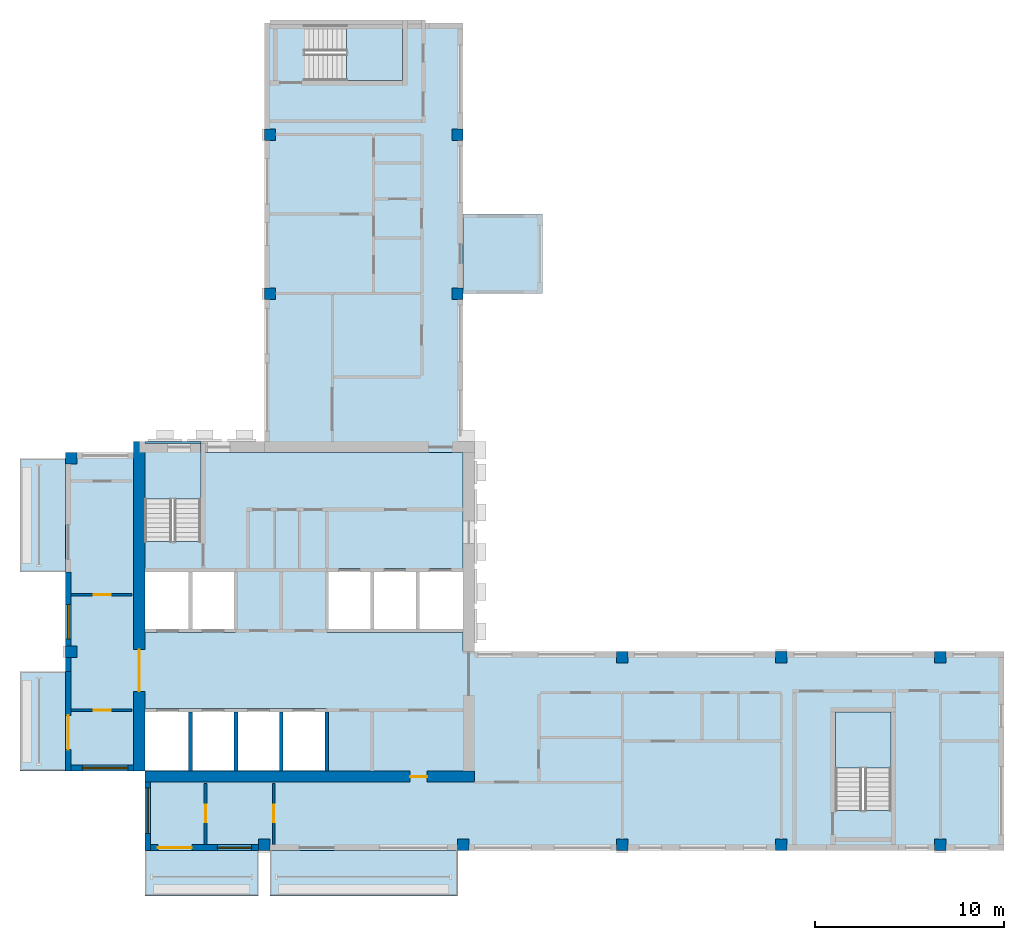
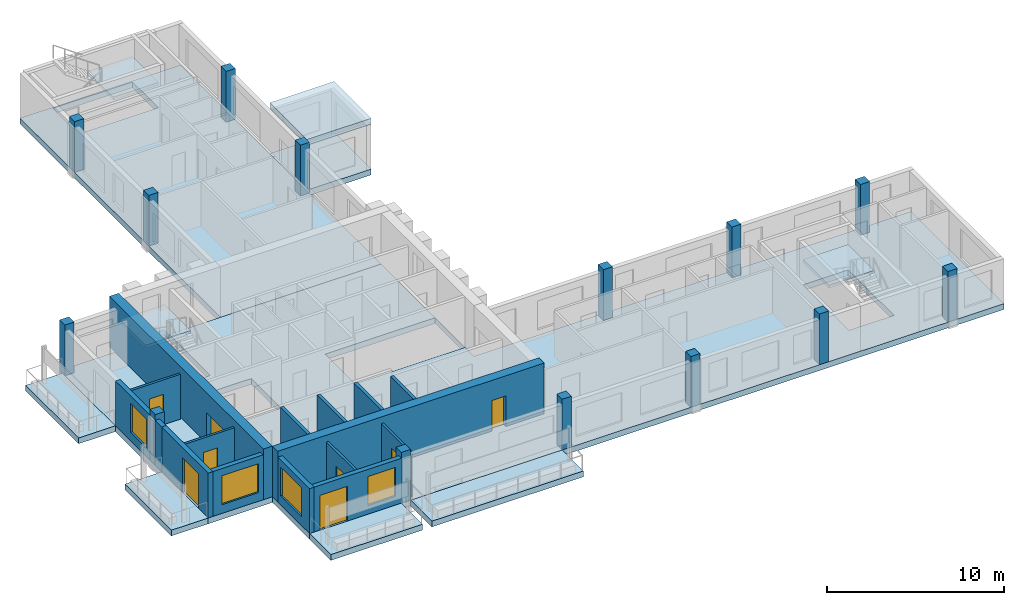
# One storey, part 1 of 10: 16 walls, 14 columns, 12 slabs, 8 doors, 4 windows, 12 openings, 3 elements without a shape of their own.
"""IFC4 building model written with IfcOpenShell, lengths in metres."""

import ifcopenshell
import ifcopenshell.guid

model = None  # the IFC model being written
_history = None  # IfcOwnerHistory: only IFC2X3 demands one
_inside = {}  # id of a spatial element -> (the spatial element, [elements in it])
_under = {}  # id of a project, library or spatial element -> (it, [spatial elements below it])
_declared = {}  # id of a project -> (the project, [libraries it declares])
_typed = {}  # id of a type object -> (the type object, [elements of that type])
_made_of = {}  # id of a material, layer set ... -> (it, [elements and type objects made of it])


def new_model(schema):
    """Start an empty IFC model of exactly this schema.

    Asked for "IFC4X3", IfcOpenShell would pick the latest addendum, in which some entities
    have other attributes; the version numbers below select the first issue.
    IFC2X3 requires an IfcOwnerHistory on every rooted entity: one is made here for all.
    """
    global model, _history
    if schema == "IFC4X3":
        model = ifcopenshell.file(schema_version=(4, 3, 0, 0))
    else:
        model = ifcopenshell.file(schema=schema)
    _inside.clear()
    _under.clear()
    _declared.clear()
    _typed.clear()
    _made_of.clear()
    _history = None
    if model.schema == "IFC2X3":
        org = make("IfcOrganization", Name="unknown")
        user = make(
            "IfcPersonAndOrganization",
            ThePerson=make("IfcPerson", FamilyName="unknown"),
            TheOrganization=org,
        )
        app = make(
            "IfcApplication",
            ApplicationDeveloper=org,
            Version="unknown",
            ApplicationFullName="unknown",
            ApplicationIdentifier="unknown",
        )
        _history = make(
            "IfcOwnerHistory",
            OwningUser=user,
            OwningApplication=app,
            ChangeAction="ADDED",
            CreationDate=0,
        )
    return model


def make(cls, **values):
    """One entity of the class cls with the attributes given. An attribute that is None is left unset."""
    return model.create_entity(
        cls, **{name: value for name, value in values.items() if value is not None}
    )


def rooted(cls, **values):
    """An entity with a GlobalId (a new one), such as an element, a storey or a relation."""
    return make(cls, GlobalId=ifcopenshell.guid.new(), OwnerHistory=_history, **values)


def si_unit(unit_type, name, prefix=None):
    """IfcSIUnit, for example si_unit("LENGTHUNIT", "METRE", prefix="MILLI")."""
    return make("IfcSIUnit", UnitType=unit_type, Prefix=prefix, Name=name)


def assignment(units):
    """IfcUnitAssignment: the units of a project."""
    return None if units is None else make("IfcUnitAssignment", Units=units)


def point(xyz):
    """IfcCartesianPoint."""
    return None if xyz is None else make("IfcCartesianPoint", Coordinates=xyz)


def direction(xyz):
    """IfcDirection."""
    return None if xyz is None else make("IfcDirection", DirectionRatios=xyz)


def frame(location, z_axis=None, x_axis=None):
    """IfcAxis2Placement3D, a coordinate frame: its origin and axes. An axis left out is left unset."""
    return make(
        "IfcAxis2Placement3D",
        Location=point(location),
        Axis=direction(z_axis),
        RefDirection=direction(x_axis),
    )


def frame_2d(location, x_axis=None):
    """IfcAxis2Placement2D, a coordinate frame in the plane: its origin and x axis."""
    return make(
        "IfcAxis2Placement2D", Location=point(location), RefDirection=direction(x_axis)
    )


def origin():
    """The frame at (0, 0, 0) with its axes left unset."""
    return frame((0.0, 0.0, 0.0))


def origin_2d():
    """The frame at (0, 0) in the plane with its x axis left unset."""
    return frame_2d((0.0, 0.0))


def place(relative_to, where):
    """IfcLocalPlacement: puts the frame where relative to a parent placement (None: the world)."""
    return make(
        "IfcLocalPlacement", PlacementRelTo=relative_to, RelativePlacement=where
    )


def context(
    kind, dimensions, precision=None, world=None, true_north=None, identifier=None
):
    """IfcGeometricRepresentationContext, for example the 3D "Model" context."""
    return make(
        "IfcGeometricRepresentationContext",
        ContextIdentifier=identifier,
        ContextType=kind,
        CoordinateSpaceDimension=dimensions,
        Precision=precision,
        WorldCoordinateSystem=world,
        TrueNorth=true_north,
    )


def subcontext(parent, identifier, kind, view, scale=None):
    """IfcGeometricRepresentationSubContext, for example "Body" below "Model"."""
    return make(
        "IfcGeometricRepresentationSubContext",
        ContextIdentifier=identifier,
        ContextType=kind,
        ParentContext=parent,
        TargetScale=scale,
        TargetView=view,
    )


def project(units=None, contexts=None):
    """IfcProject with its units and contexts."""
    return rooted(
        "IfcProject",
        Name="project",
        RepresentationContexts=contexts,
        UnitsInContext=assignment(units),
    )


def spatial(cls, under=None, at=None, **own):
    """A site, building, storey or space (cls), placed at a placement, below another one or the project."""
    s = rooted(cls, ObjectPlacement=at, **own)
    if under is not None:
        _under.setdefault(under.id(), (under, []))[1].append(s)
    return s


def polyline(points):
    """IfcPolyline through the points."""
    return make("IfcPolyline", Points=[point(p) for p in points])


def profile(cls, at=None, kind="AREA", **sizes):
    """A parametric profile (cls). Its sizes go by their IFC names, for example OverallWidth=200.0."""
    return make(cls, ProfileType=kind, Position=at, **sizes)


def rectangle(**sizes):
    """IfcRectangleProfileDef."""
    return profile("IfcRectangleProfileDef", **sizes)


def outline(outer, holes=None, kind="AREA"):
    """IfcArbitraryClosedProfileDef: a profile drawn as a closed curve; with holes, ...WithVoids."""
    if holes is None:
        return make("IfcArbitraryClosedProfileDef", ProfileType=kind, OuterCurve=outer)
    return make(
        "IfcArbitraryProfileDefWithVoids",
        ProfileType=kind,
        OuterCurve=outer,
        InnerCurves=holes,
    )


def extrude(swept, where, along, depth):
    """IfcExtrudedAreaSolid: the profile swept, set in the frame where, extruded along a direction by depth."""
    return make(
        "IfcExtrudedAreaSolid",
        SweptArea=swept,
        Position=where,
        ExtrudedDirection=direction(along),
        Depth=depth,
    )


def shape(context_of_items, identifier, shape_type, items):
    """IfcShapeRepresentation: the items that make up one representation, for example the "Body"."""
    return make(
        "IfcShapeRepresentation",
        ContextOfItems=context_of_items,
        RepresentationIdentifier=identifier,
        RepresentationType=shape_type,
        Items=items,
    )


def source(mapping_origin, context_of_items, identifier, shape_type, items):
    """IfcRepresentationMap: a shape defined once, which mapped items show again and again."""
    return make(
        "IfcRepresentationMap",
        MappingOrigin=mapping_origin,
        MappedRepresentation=shape(context_of_items, identifier, shape_type, items),
    )


def transform(
    local_origin,
    x_axis=None,
    y_axis=None,
    z_axis=None,
    scale=None,
    scale2=None,
    scale3=None,
    uniform=True,
):
    """IfcCartesianTransformationOperator3D, or its non-uniform kind. x_axis, y_axis, z_axis: its Axis1, 2, 3."""
    if uniform:
        return make(
            "IfcCartesianTransformationOperator3D",
            Axis1=direction(x_axis),
            Axis2=direction(y_axis),
            LocalOrigin=point(local_origin),
            Scale=scale,
            Axis3=direction(z_axis),
        )
    return make(
        "IfcCartesianTransformationOperator3DnonUniform",
        Axis1=direction(x_axis),
        Axis2=direction(y_axis),
        LocalOrigin=point(local_origin),
        Scale=scale,
        Axis3=direction(z_axis),
        Scale2=scale2,
        Scale3=scale3,
    )


def mapped(mapping_source, mapping_target):
    """IfcMappedItem: shows the shape of a source again, moved by a transform."""
    return make(
        "IfcMappedItem", MappingSource=mapping_source, MappingTarget=mapping_target
    )


def material(Name=None, Category=None):
    """IfcMaterial."""
    return make("IfcMaterial", Name=Name, Category=Category)


def layer(
    of_material, thickness, ventilated=None, Name=None, Category=None, Priority=None
):
    """IfcMaterialLayer: one layer of a wall or slab, of a material (None: an air gap)."""
    return make(
        "IfcMaterialLayer",
        Material=of_material,
        LayerThickness=thickness,
        IsVentilated=ventilated,
        Name=Name,
        Category=Category,
        Priority=Priority,
    )


def layer_set(layers, Name=None):
    """IfcMaterialLayerSet."""
    return make("IfcMaterialLayerSet", MaterialLayers=layers, LayerSetName=Name)


def material_profile(
    of_material, cross_section, Name=None, Category=None, Priority=None
):
    """IfcMaterialProfile: a cross section and its material."""
    return make(
        "IfcMaterialProfile",
        Name=Name,
        Material=of_material,
        Profile=cross_section,
        Priority=Priority,
        Category=Category,
    )


def profile_set(profiles, Name=None, composite=None):
    """IfcMaterialProfileSet."""
    return make(
        "IfcMaterialProfileSet",
        Name=Name,
        MaterialProfiles=profiles,
        CompositeProfile=composite,
    )


def made_of(thing, what):
    """Note that an element or type object is made of a material, layer set ...; save() writes the relation."""
    if what is not None:
        _made_of.setdefault(what.id(), (what, []))[1].append(thing)
    return thing


def type_object(cls, material=None, **own):
    """A type object (cls), such as IfcWallType, which elements share."""
    return made_of(rooted(cls, **own), material)


def element(
    cls,
    number,
    at=None,
    inside=None,
    cuts=None,
    type_object=None,
    material=None,
    context=None,
    identifier="Body",
    shape_type=None,
    held_by="IfcProductDefinitionShape",
    body=None,
    shapes=None,
    **own,
):
    """One element of the class cls, such as IfcWall. Its Tag is "e" and its number.

    at: its placement. inside: the storey or other place that contains it. cuts: it is an
    opening in that element (IfcRelVoidsElement). A single representation is given by context,
    identifier, shape_type and body (its items); several are given by shapes. held_by: the class
    of the entity that holds the representations. save() writes the other relations.
    """
    e = rooted(cls, Tag="e%d" % number, ObjectPlacement=at, **own)
    if body is not None:
        shapes = [shape(context, identifier, shape_type, body)]
    if shapes is not None:
        e.Representation = make(held_by, Representations=shapes)
    if inside is not None:
        _inside.setdefault(inside.id(), (inside, []))[1].append(e)
    if cuts is not None:
        rooted(
            "IfcRelVoidsElement", RelatingBuildingElement=cuts, RelatedOpeningElement=e
        )
    if type_object is not None:
        _typed.setdefault(type_object.id(), (type_object, []))[1].append(e)
    return made_of(e, material)


def fill(opening, filler):
    """IfcRelFillsElement: the door or window that sits in an opening."""
    return rooted(
        "IfcRelFillsElement",
        RelatingOpeningElement=opening,
        RelatedBuildingElement=filler,
    )


def aggregate(whole, parts):
    """IfcRelAggregates: a whole, such as a stair, and the parts it consists of."""
    return rooted("IfcRelAggregates", RelatingObject=whole, RelatedObjects=parts)


def save(model, path):
    """Write the relations noted so far, then the file.

    IfcRelAggregates (storeys below a building ...), IfcRelContainedInSpatialStructure (elements
    in a storey), IfcRelDefinesByType, IfcRelAssociatesMaterial and IfcRelDeclares: one each for
    every whole, place, type object, material and project.
    """
    for whole, parts in _under.values():
        aggregate(whole, parts)
    for where, things in _inside.values():
        rooted(
            "IfcRelContainedInSpatialStructure",
            RelatedElements=things,
            RelatingStructure=where,
        )
    for kind, things in _typed.values():
        rooted("IfcRelDefinesByType", RelatedObjects=things, RelatingType=kind)
    for what, things in _made_of.values():
        rooted("IfcRelAssociatesMaterial", RelatedObjects=things, RelatingMaterial=what)
    for by, libraries in _declared.values():
        rooted("IfcRelDeclares", RelatingContext=by, RelatedDefinitions=libraries)
    model.write(path)


model = new_model("IFC4")

# Units and contexts
model_context = context("Model", 3, precision=1e-05, world=origin(), true_north=direction((0.0, 1.0)))
body_context = subcontext(model_context, "Body", "Model", "MODEL_VIEW")
ifc_project = project(units=[si_unit("LENGTHUNIT", "METRE"), si_unit("AREAUNIT", "SQUARE_METRE"), si_unit("VOLUMEUNIT", "CUBIC_METRE"), si_unit("PLANEANGLEUNIT", "RADIAN"), si_unit("MASSUNIT", "GRAM", prefix="KILO")], contexts=[model_context])

# Site, building, storey
site_placement = place(None, origin())
site = spatial("IfcSite", under=ifc_project, at=site_placement, CompositionType="ELEMENT")
building_placement = place(site_placement, origin())
building = spatial("IfcBuilding", under=site, at=building_placement, Name="Aurelian Terraces", CompositionType="ELEMENT")
storey_placement = place(building_placement, frame((0.0, 0.0, 354.5)))
storey = spatial("IfcBuildingStorey", under=building, at=storey_placement, Name="L84", CompositionType="ELEMENT", Elevation=354.5)

# Columns
ifc_material_1 = material(Name="Concrete fc' 55 MPa", Category="concrete")
ifc_material_profile = material_profile(ifc_material_1, rectangle(XDim=0.6, YDim=0.6, at=origin_2d()))
ifc_profile_set = profile_set([ifc_material_profile], Name="Concrete fc' 55 MPa")
column_type = type_object("IfcColumnType", Name="RC COLUMN 600X600 FC55", PredefinedType="COLUMN", material=ifc_profile_set)
shared_shape_1 = source(origin(), body_context, "Body", "SweptSolid", [
    extrude(rectangle(XDim=0.6, YDim=0.6, at=origin_2d()), origin(), (0.0, 0.0, 1.0), 3.5),
])
for number, where, z_axis, x_axis, name in (
    (1, (10.5, 0.3, 0.0), (0.0, 0.0, 1.0), (1.0, 0.0, 0.0), "Column 2/A L84"),
    (2, (21.0, 0.3, 0.0), (0.0, 0.0, 1.0), (1.0, 0.0, 0.0), "Column 3/A L84"),
    (3, (29.4, 0.3, 0.0), (0.0, 0.0, 1.0), (1.0, 0.0, 0.0), "Column 4/A L84"),
    (4, (37.8, 0.3, 0.0), (0.0, 0.0, 1.0), (1.0, 0.0, 0.0), "Column 5/A L84"),
    (5, (46.2, 0.3, 0.0), (0.0, 0.0, 1.0), (1.0, 0.0, 0.0), "Column 6/A L84"),
    (6, (0.3, 10.5, 0.0), (0.0, 0.0, 1.0), (1.0, 0.0, 0.0), "Column 1/B L84"),
    (7, (29.4, 10.2, 0.0), (0.0, 0.0, 1.0), (1.0, 0.0, 0.0), "Column 4/B L84"),
    (8, (37.8, 10.2, 0.0), (0.0, 0.0, 1.0), (1.0, 0.0, 0.0), "Column 5/B L84"),
    (9, (46.2, 10.2, 0.0), (0.0, 0.0, 1.0), (1.0, 0.0, 0.0), "Column 6/B L84"),
    (10, (0.3, 20.7, 0.0), (0.0, 0.0, 1.0), (1.0, 0.0, 0.0), "Column 1/C L84"),
    (11, (10.8, 29.4, 0.0), (0.0, 0.0, 1.0), (1.0, 0.0, 0.0), "Column 2/D L84"),
    (12, (20.7, 29.4, 0.0), (0.0, 0.0, 1.0), (1.0, 0.0, 0.0), "Column 3/D L84"),
    (13, (10.8, 37.8, 0.0), (0.0, 0.0, 1.0), (1.0, 0.0, 0.0), "Column 2/E L84"),
    (14, (20.7, 37.8, 0.0), (0.0, 0.0, 1.0), (1.0, 0.0, 0.0), "Column 3/E L84"),
):
    element("IfcColumn", number, at=place(storey_placement, frame(where, z_axis=z_axis, x_axis=x_axis)), inside=storey, type_object=column_type, Name=name, PredefinedType="COLUMN", context=body_context, shape_type="MappedRepresentation", body=[
        mapped(shared_shape_1, transform((0.0, 0.0, 0.0), scale=1.0)),
    ])

# Slabs
ifc_material_2 = material(Name="Concrete fc' 40 MPa", Category="concrete")
ifc_layer_1 = layer(ifc_material_2, 0.4)
ifc_layer_set_1 = layer_set([ifc_layer_1], Name="PT FLAT PLATE 400")
slab_type_1 = type_object("IfcSlabType", Name="PT FLAT PLATE 400", PredefinedType="FLOOR", material=ifc_layer_set_1)
shared_shape_2 = source(origin(), body_context, "Body", "SweptSolid", [
    extrude(outline(polyline([(10.5, 43.68), (14.7, 43.68), (16.8, 43.68), (21.0, 43.68), (21.0, 21.0), (10.5, 21.0), (10.5, 43.68)]), holes=[polyline([(17.79, 43.59), (12.61, 43.59), (12.61, 40.66), (17.79, 40.66), (17.79, 43.59)])]), origin(), (0.0, 0.0, 1.0), 0.4),
])
slab_1_placement = place(storey_placement, frame((0.0, 0.0, -0.4)))
element("IfcSlab", 15, at=slab_1_placement, inside=storey, type_object=slab_type_1, Name="Floor slab W L84", PredefinedType="FLOOR", context=body_context, shape_type="MappedRepresentation", body=[
    mapped(shared_shape_2, transform((0.0, 0.0, 0.0), scale=1.0)),
])
shared_shape_3 = source(origin(), body_context, "Body", "SweptSolid", [
    extrude(outline(polyline([(4.2, 21.0), (4.2, 21.6), (7.15, 21.6), (7.15, 21.0), (7.14, 21.0), (7.14, 21.49), (4.21, 21.49), (4.21, 21.0), (4.2, 21.0)])), origin(), (0.0, 0.0, 1.0), 0.4),
])
slab_2_placement = place(storey_placement, frame((0.0, 0.0, -0.4)))
element("IfcSlab", 16, at=slab_2_placement, inside=storey, type_object=slab_type_1, Name="Floor slab W2 L84", PredefinedType="FLOOR", context=body_context, shape_type="MappedRepresentation", body=[
    mapped(shared_shape_3, transform((0.0, 0.0, 0.0), scale=1.0)),
])
shared_shape_4 = source(origin(), body_context, "Body", "SweptSolid", [
    extrude(outline(polyline([(21.0, 0.0), (4.2, 0.0), (4.2, 4.2), (0.0, 4.2), (0.0, 10.5), (0.0, 21.0), (4.21, 21.0), (4.21, 16.31), (7.14, 16.31), (7.14, 21.0), (21.0, 21.0), (21.0, 10.5), (49.56, 10.5), (49.56, 6.3), (49.56, 4.2), (49.56, 0.0), (21.0, 0.0)]), holes=[polyline([(40.66, 2.11), (43.59, 2.11), (43.59, 7.29), (40.66, 7.29), (40.66, 2.11)]), polyline([(13.81, 14.89), (13.81, 11.51), (20.99, 11.51), (20.99, 14.89), (13.81, 14.89)]), polyline([(4.21, 7.49), (4.21, 4.21), (13.79, 4.21), (13.79, 7.49), (4.21, 7.49)]), polyline([(8.99, 11.51), (8.99, 14.89), (4.21, 14.89), (4.21, 11.51), (8.99, 11.51)])]), origin(), (0.0, 0.0, 1.0), 0.4),
])
slab_3_placement = place(storey_placement, frame((0.0, 0.0, -0.4)))
element("IfcSlab", 17, at=slab_3_placement, inside=storey, type_object=slab_type_1, Name="Floor slab S L84", PredefinedType="FLOOR", context=body_context, shape_type="MappedRepresentation", body=[
    mapped(shared_shape_4, transform((0.0, 0.0, 0.0), scale=1.0)),
])
ifc_layer_2 = layer(ifc_material_2, 0.4)
ifc_layer_set_2 = layer_set([ifc_layer_2], Name="Balcony slab 400")
slab_type_2 = type_object("IfcSlabType", Name="Balcony slab 400", PredefinedType="NOTDEFINED", material=ifc_layer_set_2)
shared_shape_5 = source(origin(), body_context, "Body", "SweptSolid", [
    extrude(outline(polyline([(0.0, 9.45), (0.0, 4.2), (-2.4, 4.2), (-2.4, 9.45), (0.0, 9.45)])), origin(), (0.0, 0.0, 1.0), 0.4),
])
slab_4_placement = place(storey_placement, frame((0.0, 0.0, -0.4)))
element("IfcSlab", 18, at=slab_4_placement, inside=storey, type_object=slab_type_2, Name="Balcony slab L84 F12.22", PredefinedType="NOTDEFINED", context=body_context, shape_type="MappedRepresentation", body=[
    mapped(shared_shape_5, transform((0.0, 0.0, 0.0), scale=1.0)),
])
ifc_layer_3 = layer(ifc_material_2, 0.41)
ifc_layer_set_3 = layer_set([ifc_layer_3], Name="Box floor 410")
slab_type_3 = type_object("IfcSlabType", Name="Box floor 410", PredefinedType="NOTDEFINED", material=ifc_layer_set_3)
shared_shape_6 = source(origin(), body_context, "Body", "SweptSolid", [
    extrude(outline(polyline([(25.2, 29.4), (25.2, 33.6), (21.0, 33.6), (21.0, 29.4), (25.2, 29.4)])), origin(), (0.0, 0.0, 1.0), 0.41),
])
slab_5_placement = place(storey_placement, frame((0.0, 0.0, -0.41)))
element("IfcSlab", 19, at=slab_5_placement, inside=storey, type_object=slab_type_3, Name="Box floor L84 J96", PredefinedType="NOTDEFINED", context=body_context, shape_type="MappedRepresentation", body=[
    mapped(shared_shape_6, transform((0.0, 0.0, 0.0), scale=1.0)),
])
shared_shape_7 = source(origin(), body_context, "Body", "SweptSolid", [
    extrude(outline(polyline([(4.2, 0.0), (10.2, 0.0), (10.2, -2.4), (4.2, -2.4), (4.2, 0.0)])), origin(), (0.0, 0.0, 1.0), 0.4),
])
slab_6_placement = place(storey_placement, frame((0.0, 0.0, -0.4)))
element("IfcSlab", 20, at=slab_6_placement, inside=storey, type_object=slab_type_2, Name="Balcony slab L84 F01.1", PredefinedType="NOTDEFINED", context=body_context, shape_type="MappedRepresentation", body=[
    mapped(shared_shape_7, transform((0.0, 0.0, 0.0), scale=1.0)),
])
ifc_layer_4 = layer(ifc_material_2, 0.4)
ifc_layer_set_4 = layer_set([ifc_layer_4], Name="Box roof 400")
slab_type_4 = type_object("IfcSlabType", Name="Box roof 400", PredefinedType="ROOF", material=ifc_layer_set_4)
shared_shape_8 = source(origin(), body_context, "Body", "SweptSolid", [
    extrude(outline(polyline([(25.2, 29.4), (25.2, 33.6), (21.0, 33.6), (21.0, 29.4), (25.2, 29.4)])), origin(), (0.0, 0.0, 1.0), 0.4),
])
slab_7_placement = place(storey_placement, frame((0.0, 0.0, 3.1)))
element("IfcSlab", 21, at=slab_7_placement, inside=storey, type_object=slab_type_4, Name="Box roof J96", PredefinedType="ROOF", context=body_context, shape_type="MappedRepresentation", body=[
    mapped(shared_shape_8, transform((0.0, 0.0, 0.0), scale=1.0)),
])
shared_shape_9 = source(origin(), body_context, "Body", "SweptSolid", [
    extrude(outline(polyline([(10.8, 0.0), (20.7, 0.0), (20.7, -2.4), (10.8, -2.4), (10.8, 0.0)])), origin(), (0.0, 0.0, 1.0), 0.4),
])
slab_8_placement = place(storey_placement, frame((0.0, 0.0, -0.4)))
element("IfcSlab", 22, at=slab_8_placement, inside=storey, type_object=slab_type_2, Name="Balcony slab L84 F01.2", PredefinedType="NOTDEFINED", context=body_context, shape_type="MappedRepresentation", body=[
    mapped(shared_shape_9, transform((0.0, 0.0, 0.0), scale=1.0)),
])
shared_shape_10 = source(origin(), body_context, "Body", "SweptSolid", [
    extrude(outline(polyline([(0.0, 20.7), (0.0, 14.7), (-2.4, 14.7), (-2.4, 20.7), (0.0, 20.7)])), origin(), (0.0, 0.0, 1.0), 0.4),
])
slab_9_placement = place(storey_placement, frame((0.0, 0.0, -0.4)))
element("IfcSlab", 23, at=slab_9_placement, inside=storey, type_object=slab_type_2, Name="Balcony slab L84 F12.20", PredefinedType="NOTDEFINED", context=body_context, shape_type="MappedRepresentation", body=[
    mapped(shared_shape_10, transform((0.0, 0.0, 0.0), scale=1.0)),
])

# Stair, slab
stair_type = type_object("IfcStairType", Name="Stair 1400", PredefinedType="HALF_TURN_STAIR", material=ifc_material_2)
stair_1_placement = place(storey_placement, origin())
stair_1 = element("IfcStair", 24, at=stair_1_placement, inside=storey, type_object=stair_type, Name="L84 S1", PredefinedType="HALF_TURN_STAIR")
ifc_layer_5 = layer(ifc_material_2, 0.2)
ifc_layer_set_5 = layer_set([ifc_layer_5], Name="Stair landing 200")
slab_type_5 = type_object("IfcSlabType", Name="Stair landing 200", PredefinedType="LANDING", material=ifc_layer_set_5)
shared_shape_11 = source(origin(), body_context, "Body", "SweptSolid", [
    extrude(outline(polyline([(7.15, 18.55), (7.15, 21.5), (4.2, 21.5), (4.2, 18.55), (7.15, 18.55)])), origin(), (0.0, 0.0, 1.0), 0.2),
])
slab_10_placement = place(storey_placement, frame((0.0, 0.0, 1.55)))
slab_10 = element("IfcSlab", 25, at=slab_10_placement, type_object=slab_type_5, Name="S1 landing 1", PredefinedType="LANDING", context=body_context, shape_type="MappedRepresentation", body=[
    mapped(shared_shape_11, transform((0.0, 0.0, 0.0), scale=1.0)),
])
aggregate(stair_1, [slab_10])

stair_2_placement = place(storey_placement, origin())
stair_2 = element("IfcStair", 26, at=stair_2_placement, inside=storey, type_object=stair_type, Name="L84 S2", PredefinedType="HALF_TURN_STAIR")
shared_shape_12 = source(origin(), body_context, "Body", "SweptSolid", [
    extrude(outline(polyline([(43.6, 4.35), (43.6, 7.3), (40.65, 7.3), (40.65, 4.35), (43.6, 4.35)])), origin(), (0.0, 0.0, 1.0), 0.2),
])
slab_11_placement = place(storey_placement, frame((0.0, 0.0, 1.55)))
slab_11 = element("IfcSlab", 27, at=slab_11_placement, type_object=slab_type_5, Name="S2 landing 1", PredefinedType="LANDING", context=body_context, shape_type="MappedRepresentation", body=[
    mapped(shared_shape_12, transform((0.0, 0.0, 0.0), scale=1.0)),
])
aggregate(stair_2, [slab_11])

stair_3_placement = place(storey_placement, origin())
stair_3 = element("IfcStair", 28, at=stair_3_placement, inside=storey, type_object=stair_type, Name="L84 S3U", PredefinedType="HALF_TURN_STAIR")
shared_shape_13 = source(origin(), body_context, "Body", "SweptSolid", [
    extrude(outline(polyline([(14.85, 40.65), (17.8, 40.65), (17.8, 43.6), (14.85, 43.6), (14.85, 40.65)])), origin(), (0.0, 0.0, 1.0), 0.2),
])
slab_12_placement = place(storey_placement, frame((0.0, 0.0, 1.55)))
slab_12 = element("IfcSlab", 29, at=slab_12_placement, type_object=slab_type_5, Name="S3U landing 1", PredefinedType="LANDING", context=body_context, shape_type="MappedRepresentation", body=[
    mapped(shared_shape_13, transform((0.0, 0.0, 0.0), scale=1.0)),
])
aggregate(stair_3, [slab_12])

# Wall, opening, door
ifc_layer_6 = layer(ifc_material_1, 0.6)
ifc_layer_set_6 = layer_set([ifc_layer_6], Name="CORE WALL 600 FC55")
wall_type_1 = type_object("IfcWallType", Name="CORE WALL 600 FC55", PredefinedType="SHEAR", material=ifc_layer_set_6)
shared_shape_14 = source(origin(), body_context, "Body", "SweptSolid", [
    extrude(rectangle(XDim=17.4, YDim=0.6, at=frame_2d((8.7, 0.0))), origin(), (0.0, 0.0, 1.0), 3.5),
])
wall_1_placement = place(storey_placement, frame((3.9, 4.2, 0.0), z_axis=(0.0, 0.0, 1.0), x_axis=(0.0, 1.0, 0.0)))
wall_1 = element("IfcWall", 30, at=wall_1_placement, inside=storey, type_object=wall_type_1, Name="Core wall W L84", PredefinedType="SHEAR", context=body_context, shape_type="MappedRepresentation", body=[
    mapped(shared_shape_14, transform((0.0, 0.0, 0.0), scale=1.0)),
])
shared_shape_15 = source(origin(), body_context, "Body", "SweptSolid", [
    extrude(rectangle(XDim=2.2, YDim=2.1, at=frame_2d((1.1, 1.05))), frame((0.0, 0.31, 0.0), z_axis=(0.0, -1.0, 0.0), x_axis=(1.0, 0.0, 0.0)), (0.0, 0.0, 1.0), 0.62),
])
opening_1_placement = place(wall_1_placement, frame((4.2, 0.0, 0.0)))
opening_1 = element("IfcOpeningElement", 31, at=opening_1_placement, cuts=wall_1, Name="Opening 68725", PredefinedType="OPENING", context=body_context, shape_type="MappedRepresentation", body=[
    mapped(shared_shape_15, transform((0.0, 0.0, 0.0), scale=1.0)),
])
ifc_material_3 = material(Name="Steel door leaf", Category="steel")
door_type_1 = type_object("IfcDoorType", Name="Core double door 2200x2100", OperationType="DOUBLE_DOOR_SINGLE_SWING", PredefinedType="DOOR", material=ifc_material_3)
shared_shape_16 = source(origin(), body_context, "Body", "SweptSolid", [
    extrude(rectangle(XDim=2.2, YDim=2.1, at=frame_2d((1.1, 1.05))), frame((0.0, 0.025, 0.0), z_axis=(0.0, -1.0, 0.0), x_axis=(1.0, 0.0, 0.0)), (0.0, 0.0, 1.0), 0.05),
])
door_1_placement = place(opening_1_placement, origin())
door_1 = element("IfcDoor", 32, at=door_1_placement, inside=storey, type_object=door_type_1, Name="Core door 68725", OperationType="DOUBLE_DOOR_SINGLE_SWING", OverallHeight=2.1, OverallWidth=2.2, PredefinedType="DOOR", context=body_context, shape_type="MappedRepresentation", body=[
    mapped(shared_shape_16, transform((0.0, 0.0, 0.0), scale=1.0)),
])
fill(opening_1, door_1)

wall_2_placement = place(storey_placement, frame((4.2, 3.9, 0.0), z_axis=(0.0, 0.0, 1.0), x_axis=(1.0, 0.0, 0.0)))
wall_2 = element("IfcWall", 33, at=wall_2_placement, inside=storey, type_object=wall_type_1, Name="Core wall S L84", PredefinedType="SHEAR", context=body_context, shape_type="MappedRepresentation", body=[
    mapped(shared_shape_14, transform((0.0, 0.0, 0.0), scale=1.0)),
])
shared_shape_17 = source(origin(), body_context, "Body", "SweptSolid", [
    extrude(rectangle(XDim=0.9, YDim=2.1, at=frame_2d((0.45, 1.05))), frame((0.0, 0.31, 0.0), z_axis=(0.0, -1.0, 0.0), x_axis=(1.0, 0.0, 0.0)), (0.0, 0.0, 1.0), 0.62),
])
opening_2_placement = place(wall_2_placement, frame((14.0, 0.0, 0.0)))
opening_2 = element("IfcOpeningElement", 34, at=opening_2_placement, cuts=wall_2, Name="Opening 68727", PredefinedType="OPENING", context=body_context, shape_type="MappedRepresentation", body=[
    mapped(shared_shape_17, transform((0.0, 0.0, 0.0), scale=1.0)),
])
door_type_2 = type_object("IfcDoorType", Name="Core service door 900x2100", OperationType="SINGLE_SWING_LEFT", PredefinedType="DOOR", material=ifc_material_3)
shared_shape_18 = source(origin(), body_context, "Body", "SweptSolid", [
    extrude(rectangle(XDim=0.9, YDim=2.1, at=frame_2d((0.45, 1.05))), frame((0.0, 0.025, 0.0), z_axis=(0.0, -1.0, 0.0), x_axis=(1.0, 0.0, 0.0)), (0.0, 0.0, 1.0), 0.05),
])
door_2_placement = place(opening_2_placement, origin())
door_2 = element("IfcDoor", 35, at=door_2_placement, inside=storey, type_object=door_type_2, Name="Core door 68727", OperationType="SINGLE_SWING_LEFT", OverallHeight=2.1, OverallWidth=0.9, PredefinedType="DOOR", context=body_context, shape_type="MappedRepresentation", body=[
    mapped(shared_shape_18, transform((0.0, 0.0, 0.0), scale=1.0)),
])
fill(opening_2, door_2)

# Wall, opening, window
ifc_material_4 = material(Name="Terracotta rainscreen cladding", Category="masonry")
ifc_layer_7 = layer(ifc_material_4, 0.3)
ifc_layer_set_7 = layer_set([ifc_layer_7], Name="EW-300")
wall_type_2 = type_object("IfcWallType", Name="EW-300", PredefinedType="STANDARD", material=ifc_layer_set_7)
shared_shape_19 = source(origin(), body_context, "Body", "SweptSolid", [
    extrude(rectangle(XDim=3.6, YDim=0.3, at=frame_2d((1.8, 0.0))), origin(), (0.0, 0.0, 1.0), 3.1),
])
wall_3_placement = place(storey_placement, frame((0.0, 4.35, 0.0), z_axis=(0.0, 0.0, 1.0), x_axis=(1.0, 0.0, 0.0)))
wall_3 = element("IfcWall", 36, at=wall_3_placement, inside=storey, type_object=wall_type_2, Name="External wall L84 F13.23", PredefinedType="STANDARD", context=body_context, shape_type="MappedRepresentation", body=[
    mapped(shared_shape_19, transform((0.0, 0.0, 0.0), scale=1.0)),
])
shared_shape_20 = source(origin(), body_context, "Body", "SweptSolid", [
    extrude(rectangle(XDim=2.4, YDim=2.0, at=frame_2d((1.2, 1.0))), frame((0.0, 0.16, 0.0), z_axis=(0.0, -1.0, 0.0), x_axis=(1.0, 0.0, 0.0)), (0.0, 0.0, 1.0), 0.32),
])
opening_3_placement = place(wall_3_placement, frame((0.9, 0.0, 0.6)))
opening_3 = element("IfcOpeningElement", 37, at=opening_3_placement, cuts=wall_3, Name="Opening W2420", PredefinedType="OPENING", context=body_context, shape_type="MappedRepresentation", body=[
    mapped(shared_shape_20, transform((0.0, 0.0, 0.0), scale=1.0)),
])
ifc_material_5 = material(Name="Clear glazing", Category="glass")
window_type_1 = type_object("IfcWindowType", Name="W-2400x2000", PartitioningType="SINGLE_PANEL", PredefinedType="WINDOW", material=ifc_material_5)
shared_shape_21 = source(origin(), body_context, "Body", "SweptSolid", [
    extrude(rectangle(XDim=2.4, YDim=2.0, at=frame_2d((1.2, 1.0))), frame((0.0, 0.03, 0.0), z_axis=(0.0, -1.0, 0.0), x_axis=(1.0, 0.0, 0.0)), (0.0, 0.0, 1.0), 0.06),
])
window_1_placement = place(opening_3_placement, origin())
window_1 = element("IfcWindow", 38, at=window_1_placement, inside=storey, type_object=window_type_1, Name="Window L84 L84-F13-23-0", OverallHeight=2.0, OverallWidth=2.4, PartitioningType="SINGLE_PANEL", PredefinedType="WINDOW", context=body_context, shape_type="MappedRepresentation", body=[
    mapped(shared_shape_21, transform((0.0, 0.0, 0.0), scale=1.0)),
])
fill(opening_3, window_1)

wall_4_placement = place(storey_placement, frame((4.35, 3.6, 0.0), z_axis=(0.0, 0.0, 1.0), x_axis=(0.0, -1.0, 0.0)))
wall_4 = element("IfcWall", 39, at=wall_4_placement, inside=storey, type_object=wall_type_2, Name="External wall L84 F14.24", PredefinedType="STANDARD", context=body_context, shape_type="MappedRepresentation", body=[
    mapped(shared_shape_19, transform((0.0, 0.0, 0.0), scale=1.0)),
])
opening_4_placement = place(wall_4_placement, frame((0.3, 0.0, 0.6)))
opening_4 = element("IfcOpeningElement", 40, at=opening_4_placement, cuts=wall_4, Name="Opening W2420", PredefinedType="OPENING", context=body_context, shape_type="MappedRepresentation", body=[
    mapped(shared_shape_20, transform((0.0, 0.0, 0.0), scale=1.0)),
])
window_2_placement = place(opening_4_placement, origin())
window_2 = element("IfcWindow", 41, at=window_2_placement, inside=storey, type_object=window_type_1, Name="Window L84 L84-F14-24-0", OverallHeight=2.0, OverallWidth=2.4, PartitioningType="SINGLE_PANEL", PredefinedType="WINDOW", context=body_context, shape_type="MappedRepresentation", body=[
    mapped(shared_shape_21, transform((0.0, 0.0, 0.0), scale=1.0)),
])
fill(opening_4, window_2)

# Wall, opening, door
shared_shape_22 = source(origin(), body_context, "Body", "SweptSolid", [
    extrude(rectangle(XDim=5.25, YDim=0.3, at=frame_2d((2.625, 0.0))), origin(), (0.0, 0.0, 1.0), 3.1),
])
wall_5_placement = place(storey_placement, frame((0.15, 9.45, 0.0), z_axis=(0.0, 0.0, 1.0), x_axis=(0.0, -1.0, 0.0)))
wall_5 = element("IfcWall", 42, at=wall_5_placement, inside=storey, type_object=wall_type_2, Name="External wall L84 F12.22", PredefinedType="STANDARD", context=body_context, shape_type="MappedRepresentation", body=[
    mapped(shared_shape_22, transform((0.0, 0.0, 0.0), scale=1.0)),
])
shared_shape_23 = source(origin(), body_context, "Body", "SweptSolid", [
    extrude(rectangle(XDim=1.8, YDim=2.4, at=frame_2d((0.9, 1.2))), frame((0.0, 0.16, 0.0), z_axis=(0.0, -1.0, 0.0), x_axis=(1.0, 0.0, 0.0)), (0.0, 0.0, 1.0), 0.32),
])
opening_5_placement = place(wall_5_placement, frame((2.325, 0.0, 0.0)))
opening_5 = element("IfcOpeningElement", 43, at=opening_5_placement, cuts=wall_5, Name="Opening 88404", PredefinedType="OPENING", context=body_context, shape_type="MappedRepresentation", body=[
    mapped(shared_shape_23, transform((0.0, 0.0, 0.0), scale=1.0)),
])
door_type_3 = type_object("IfcDoorType", Name="BD-1800x2400", OperationType="SLIDING_TO_LEFT", PredefinedType="DOOR", material=ifc_material_5)
shared_shape_24 = source(origin(), body_context, "Body", "SweptSolid", [
    extrude(rectangle(XDim=1.8, YDim=2.4, at=frame_2d((0.9, 1.2))), frame((0.0, 0.025, 0.0), z_axis=(0.0, -1.0, 0.0), x_axis=(1.0, 0.0, 0.0)), (0.0, 0.0, 1.0), 0.05),
])
door_3_placement = place(opening_5_placement, origin())
door_3 = element("IfcDoor", 44, at=door_3_placement, inside=storey, type_object=door_type_3, Name="Balcony door L84 F12.22", OperationType="SLIDING_TO_LEFT", OverallHeight=2.4, OverallWidth=1.8, PredefinedType="DOOR", context=body_context, shape_type="MappedRepresentation", body=[
    mapped(shared_shape_24, transform((0.0, 0.0, 0.0), scale=1.0)),
])
fill(opening_5, door_3)

# Wall, openings, door, window
shared_shape_25 = source(origin(), body_context, "Body", "SweptSolid", [
    extrude(rectangle(XDim=6.0, YDim=0.3, at=frame_2d((3.0, 0.0))), origin(), (0.0, 0.0, 1.0), 3.1),
])
wall_6_placement = place(storey_placement, frame((4.2, 0.15, 0.0), z_axis=(0.0, 0.0, 1.0), x_axis=(1.0, 0.0, 0.0)))
wall_6 = element("IfcWall", 45, at=wall_6_placement, inside=storey, type_object=wall_type_2, Name="External wall L84 F01.1", PredefinedType="STANDARD", context=body_context, shape_type="MappedRepresentation", body=[
    mapped(shared_shape_25, transform((0.0, 0.0, 0.0), scale=1.0)),
])
opening_6_placement = place(wall_6_placement, frame((0.675, 0.0, 0.0)))
opening_6 = element("IfcOpeningElement", 46, at=opening_6_placement, cuts=wall_6, Name="Opening 88401", PredefinedType="OPENING", context=body_context, shape_type="MappedRepresentation", body=[
    mapped(shared_shape_23, transform((0.0, 0.0, 0.0), scale=1.0)),
])
shared_shape_26 = source(origin(), body_context, "Body", "SweptSolid", [
    extrude(rectangle(XDim=1.8, YDim=2.0, at=frame_2d((0.9, 1.0))), frame((0.0, 0.16, 0.0), z_axis=(0.0, -1.0, 0.0), x_axis=(1.0, 0.0, 0.0)), (0.0, 0.0, 1.0), 0.32),
])
opening_7_placement = place(wall_6_placement, frame((3.825, 0.0, 0.6)))
opening_7 = element("IfcOpeningElement", 47, at=opening_7_placement, cuts=wall_6, Name="Opening W1820", PredefinedType="OPENING", context=body_context, shape_type="MappedRepresentation", body=[
    mapped(shared_shape_26, transform((0.0, 0.0, 0.0), scale=1.0)),
])
door_4_placement = place(opening_6_placement, origin())
door_4 = element("IfcDoor", 48, at=door_4_placement, inside=storey, type_object=door_type_3, Name="Balcony door L84 F01.1", OperationType="SLIDING_TO_LEFT", OverallHeight=2.4, OverallWidth=1.8, PredefinedType="DOOR", context=body_context, shape_type="MappedRepresentation", body=[
    mapped(shared_shape_24, transform((0.0, 0.0, 0.0), scale=1.0)),
])
fill(opening_6, door_4)
window_type_2 = type_object("IfcWindowType", Name="W-1800x2000", PartitioningType="SINGLE_PANEL", PredefinedType="WINDOW", material=ifc_material_5)
shared_shape_27 = source(origin(), body_context, "Body", "SweptSolid", [
    extrude(rectangle(XDim=1.8, YDim=2.0, at=frame_2d((0.9, 1.0))), frame((0.0, 0.03, 0.0), z_axis=(0.0, -1.0, 0.0), x_axis=(1.0, 0.0, 0.0)), (0.0, 0.0, 1.0), 0.06),
])
window_3_placement = place(opening_7_placement, origin())
window_3 = element("IfcWindow", 49, at=window_3_placement, inside=storey, type_object=window_type_2, Name="Window L84 L84-F01-01-1", OverallHeight=2.0, OverallWidth=1.8, PartitioningType="SINGLE_PANEL", PredefinedType="WINDOW", context=body_context, shape_type="MappedRepresentation", body=[
    mapped(shared_shape_27, transform((0.0, 0.0, 0.0), scale=1.0)),
])
fill(opening_7, window_3)

# Wall, opening, window
shared_shape_28 = source(origin(), body_context, "Body", "SweptSolid", [
    extrude(rectangle(XDim=3.9, YDim=0.3, at=frame_2d((1.95, 0.0))), origin(), (0.0, 0.0, 1.0), 3.1),
])
wall_7_placement = place(storey_placement, frame((0.15, 14.7, 0.0), z_axis=(0.0, 0.0, 1.0), x_axis=(0.0, -1.0, 0.0)))
wall_7 = element("IfcWall", 50, at=wall_7_placement, inside=storey, type_object=wall_type_2, Name="External wall L84 F12.21", PredefinedType="STANDARD", context=body_context, shape_type="MappedRepresentation", body=[
    mapped(shared_shape_28, transform((0.0, 0.0, 0.0), scale=1.0)),
])
opening_8_placement = place(wall_7_placement, frame((1.725, 0.0, 0.6)))
opening_8 = element("IfcOpeningElement", 51, at=opening_8_placement, cuts=wall_7, Name="Opening W1820", PredefinedType="OPENING", context=body_context, shape_type="MappedRepresentation", body=[
    mapped(shared_shape_26, transform((0.0, 0.0, 0.0), scale=1.0)),
])
window_4_placement = place(opening_8_placement, origin())
window_4 = element("IfcWindow", 52, at=window_4_placement, inside=storey, type_object=window_type_2, Name="Window L84 L84-F12-21-0", OverallHeight=2.0, OverallWidth=1.8, PartitioningType="SINGLE_PANEL", PredefinedType="WINDOW", context=body_context, shape_type="MappedRepresentation", body=[
    mapped(shared_shape_27, transform((0.0, 0.0, 0.0), scale=1.0)),
])
fill(opening_8, window_4)

# Walls
shared_shape_29 = source(origin(), body_context, "Body", "SweptSolid", [
    extrude(rectangle(XDim=0.75, YDim=0.3, at=frame_2d((0.375, 0.0))), origin(), (0.0, 0.0, 1.0), 3.1),
])
wall_8_placement = place(storey_placement, frame((0.15, 10.2, 0.0), z_axis=(0.0, 0.0, 1.0), x_axis=(0.0, -1.0, 0.0)))
element("IfcWall", 53, at=wall_8_placement, inside=storey, type_object=wall_type_2, Name="External wall L84 F12.21", PredefinedType="STANDARD", context=body_context, shape_type="MappedRepresentation", body=[
    mapped(shared_shape_29, transform((0.0, 0.0, 0.0), scale=1.0)),
])
ifc_layer_8 = layer(ifc_material_2, 0.2)
ifc_layer_set_8 = layer_set([ifc_layer_8], Name="Lift shaft wall 200")
wall_type_3 = type_object("IfcWallType", Name="Lift shaft wall 200", PredefinedType="SOLIDWALL", material=ifc_layer_set_8)
shared_shape_30 = source(origin(), body_context, "Body", "SweptSolid", [
    extrude(rectangle(XDim=3.1, YDim=0.2, at=frame_2d((1.55, 0.0))), origin(), (0.0, 0.0, 1.0), 3.5),
])
for number, where, z_axis, x_axis, name in (
    (54, (6.6, 4.2, 0.0), (0.0, 0.0, 1.0), (0.0, 1.0, 0.0), "L84 core wall CD-A1"),
    (55, (9.0, 4.2, 0.0), (0.0, 0.0, 1.0), (0.0, 1.0, 0.0), "L84 core wall CD-A2"),
    (56, (11.4, 4.2, 0.0), (0.0, 0.0, 1.0), (0.0, 1.0, 0.0), "L84 core wall CD-A3"),
):
    element("IfcWall", number, at=place(storey_placement, frame(where, z_axis=z_axis, x_axis=x_axis)), inside=storey, type_object=wall_type_3, Name=name, PredefinedType="SOLIDWALL", context=body_context, shape_type="MappedRepresentation", body=[
        mapped(shared_shape_30, transform((0.0, 0.0, 0.0), scale=1.0)),
    ])
shared_shape_31 = source(origin(), body_context, "Body", "SweptSolid", [
    extrude(rectangle(XDim=3.1, YDim=0.2, at=frame_2d((1.55, 0.0))), origin(), (0.0, 0.0, 1.0), 3.1),
])
wall_9_placement = place(storey_placement, frame((13.8, 4.2, 0.0), z_axis=(0.0, 0.0, 1.0), x_axis=(0.0, 1.0, 0.0)))
element("IfcWall", 57, at=wall_9_placement, inside=storey, type_object=wall_type_3, Name="L84 core wall CD-A4", PredefinedType="SOLIDWALL", context=body_context, shape_type="MappedRepresentation", body=[
    mapped(shared_shape_31, transform((0.0, 0.0, 0.0), scale=1.0)),
])

# Wall, opening, door
ifc_material_6 = material(Name="Gypsum board on steel studs", Category="steel")
ifc_layer_9 = layer(ifc_material_6, 0.15)
ifc_layer_set_9 = layer_set([ifc_layer_9], Name="Partition 150")
wall_type_4 = type_object("IfcWallType", Name="Partition 150", PredefinedType="PARTITIONING", material=ifc_layer_set_9)
shared_shape_32 = source(origin(), body_context, "Body", "SweptSolid", [
    extrude(rectangle(XDim=3.225, YDim=0.15, at=frame_2d((1.6125, 0.0))), origin(), (0.0, 0.0, 1.0), 3.1),
])
wall_10_placement = place(storey_placement, frame((7.4, 3.525, 0.0), z_axis=(0.0, 0.0, 1.0), x_axis=(0.0, -1.0, 0.0)))
wall_10 = element("IfcWall", 58, at=wall_10_placement, inside=storey, type_object=wall_type_4, Name="Partition", PredefinedType="PARTITIONING", context=body_context, shape_type="MappedRepresentation", body=[
    mapped(shared_shape_32, transform((0.0, 0.0, 0.0), scale=1.0)),
])
shared_shape_33 = source(origin(), body_context, "Body", "SweptSolid", [
    extrude(rectangle(XDim=0.9, YDim=2.1, at=frame_2d((0.45, 1.05))), frame((0.0, 0.085, 0.0), z_axis=(0.0, -1.0, 0.0), x_axis=(1.0, 0.0, 0.0)), (0.0, 0.0, 1.0), 0.17),
])
opening_9_placement = place(wall_10_placement, frame((1.125, 0.0, 0.0)))
opening_9 = element("IfcOpeningElement", 59, at=opening_9_placement, cuts=wall_10, Name="Opening 784003", PredefinedType="OPENING", context=body_context, shape_type="MappedRepresentation", body=[
    mapped(shared_shape_33, transform((0.0, 0.0, 0.0), scale=1.0)),
])
ifc_material_7 = material(Name="Timber door leaf", Category="wood")
door_type_4 = type_object("IfcDoorType", Name="Room door 900x2100 right", OperationType="SINGLE_SWING_RIGHT", PredefinedType="DOOR", material=ifc_material_7)
door_5_placement = place(opening_9_placement, origin())
door_5 = element("IfcDoor", 60, at=door_5_placement, inside=storey, type_object=door_type_4, Name="Door 784003", OperationType="SINGLE_SWING_RIGHT", OverallHeight=2.1, OverallWidth=0.9, PredefinedType="DOOR", context=body_context, shape_type="MappedRepresentation", body=[
    mapped(shared_shape_18, transform((0.0, 0.0, 0.0), scale=1.0)),
])
fill(opening_9, door_5)

wall_11_placement = place(storey_placement, frame((11.0, 3.525, 0.0), z_axis=(0.0, 0.0, 1.0), x_axis=(0.0, -1.0, 0.0)))
wall_11 = element("IfcWall", 61, at=wall_11_placement, inside=storey, type_object=wall_type_4, Name="Partition", PredefinedType="PARTITIONING", context=body_context, shape_type="MappedRepresentation", body=[
    mapped(shared_shape_32, transform((0.0, 0.0, 0.0), scale=1.0)),
])
opening_10_placement = place(wall_11_placement, frame((1.125, 0.0, 0.0)))
opening_10 = element("IfcOpeningElement", 62, at=opening_10_placement, cuts=wall_11, Name="Opening 784004", PredefinedType="OPENING", context=body_context, shape_type="MappedRepresentation", body=[
    mapped(shared_shape_33, transform((0.0, 0.0, 0.0), scale=1.0)),
])
door_type_5 = type_object("IfcDoorType", Name="Room door 900x2100 left", OperationType="SINGLE_SWING_LEFT", PredefinedType="DOOR", material=ifc_material_7)
door_6_placement = place(opening_10_placement, origin())
door_6 = element("IfcDoor", 63, at=door_6_placement, inside=storey, type_object=door_type_5, Name="Door 784004", OperationType="SINGLE_SWING_LEFT", OverallHeight=2.1, OverallWidth=0.9, PredefinedType="DOOR", context=body_context, shape_type="MappedRepresentation", body=[
    mapped(shared_shape_18, transform((0.0, 0.0, 0.0), scale=1.0)),
])
fill(opening_10, door_6)

wall_12_placement = place(storey_placement, frame((0.3, 7.4, 0.0), z_axis=(0.0, 0.0, 1.0), x_axis=(1.0, 0.0, 0.0)))
wall_12 = element("IfcWall", 64, at=wall_12_placement, inside=storey, type_object=wall_type_4, Name="Partition", PredefinedType="PARTITIONING", context=body_context, shape_type="MappedRepresentation", body=[
    mapped(shared_shape_32, transform((0.0, 0.0, 0.0), scale=1.0)),
])
opening_11_placement = place(wall_12_placement, frame((1.2, 0.0, 0.0)))
opening_11 = element("IfcOpeningElement", 65, at=opening_11_placement, cuts=wall_12, Name="Opening 784013", PredefinedType="OPENING", context=body_context, shape_type="MappedRepresentation", body=[
    mapped(shared_shape_33, transform((0.0, 0.0, 0.0), scale=1.0)),
])
door_7_placement = place(opening_11_placement, origin())
door_7 = element("IfcDoor", 66, at=door_7_placement, inside=storey, type_object=door_type_4, Name="Door 784013", OperationType="SINGLE_SWING_RIGHT", OverallHeight=2.1, OverallWidth=0.9, PredefinedType="DOOR", context=body_context, shape_type="MappedRepresentation", body=[
    mapped(shared_shape_18, transform((0.0, 0.0, 0.0), scale=1.0)),
])
fill(opening_11, door_7)

wall_13_placement = place(storey_placement, frame((0.3, 13.5, 0.0), z_axis=(0.0, 0.0, 1.0), x_axis=(1.0, 0.0, 0.0)))
wall_13 = element("IfcWall", 67, at=wall_13_placement, inside=storey, type_object=wall_type_4, Name="Partition", PredefinedType="PARTITIONING", context=body_context, shape_type="MappedRepresentation", body=[
    mapped(shared_shape_32, transform((0.0, 0.0, 0.0), scale=1.0)),
])
opening_12_placement = place(wall_13_placement, frame((1.2, 0.0, 0.0)))
opening_12 = element("IfcOpeningElement", 68, at=opening_12_placement, cuts=wall_13, Name="Opening 784014", PredefinedType="OPENING", context=body_context, shape_type="MappedRepresentation", body=[
    mapped(shared_shape_33, transform((0.0, 0.0, 0.0), scale=1.0)),
])
door_8_placement = place(opening_12_placement, origin())
door_8 = element("IfcDoor", 69, at=door_8_placement, inside=storey, type_object=door_type_5, Name="Door 784014", OperationType="SINGLE_SWING_LEFT", OverallHeight=2.1, OverallWidth=0.9, PredefinedType="DOOR", context=body_context, shape_type="MappedRepresentation", body=[
    mapped(shared_shape_18, transform((0.0, 0.0, 0.0), scale=1.0)),
])
fill(opening_12, door_8)

save(model, "model.ifc")
